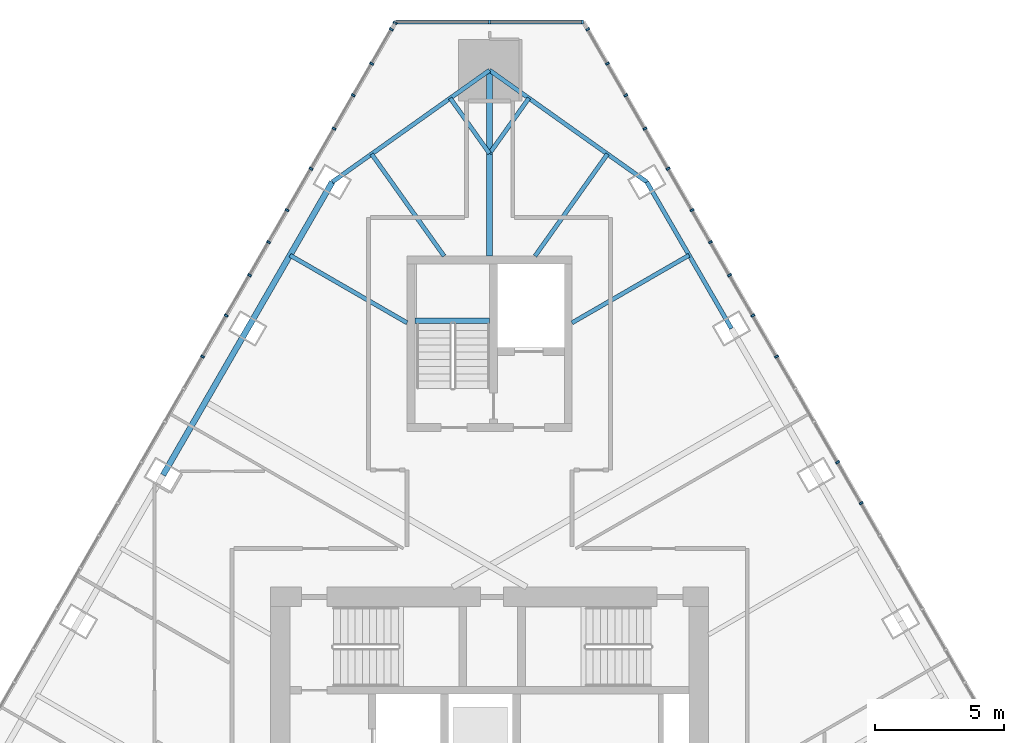
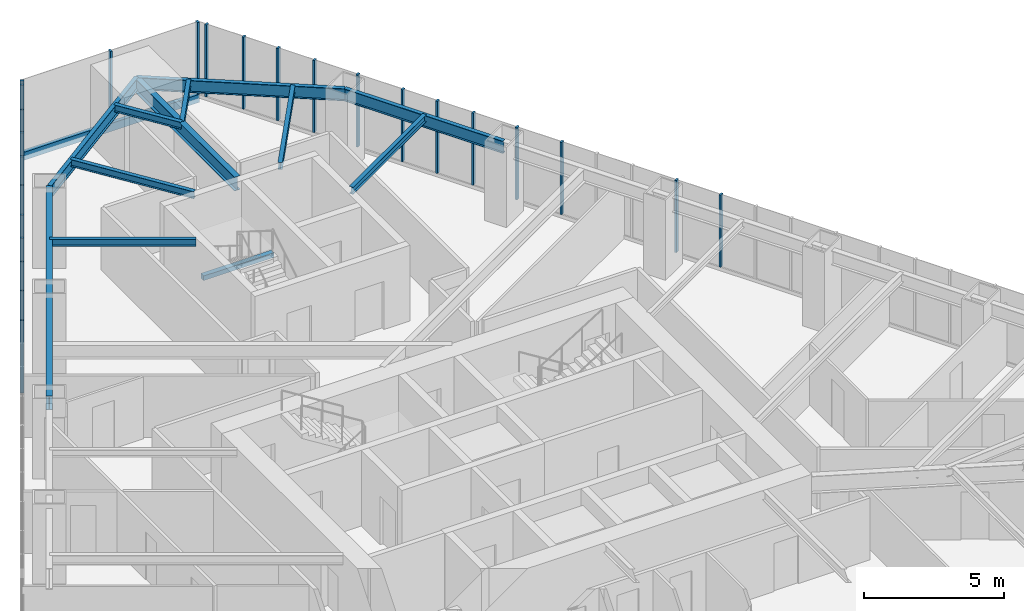
# One storey, part 10 of 21: 26 members, 12 beams, 3 elements without a shape of their own.
"""IFC4 building model written with IfcOpenShell, lengths in metres."""

from ifc_helpers import new_model, si_unit, direction, frame, origin, origin_2d, place, context, subcontext, project, spatial, rectangle, i_section, extrude, material, layer, layer_set, material_profile, profile_set, type_object, element, aggregate, save


model = new_model("IFC4")

# Units and contexts
model_context = context("Model", 3, precision=1e-05, world=origin(), true_north=direction((0.0, 1.0)))
body_context = subcontext(model_context, "Body", "Model", "MODEL_VIEW")
ifc_project = project(units=[si_unit("LENGTHUNIT", "METRE"), si_unit("AREAUNIT", "SQUARE_METRE"), si_unit("VOLUMEUNIT", "CUBIC_METRE"), si_unit("PLANEANGLEUNIT", "RADIAN"), si_unit("MASSUNIT", "GRAM", prefix="KILO")], contexts=[model_context])

# Site, building, storey
site_placement = place(None, origin())
site = spatial("IfcSite", under=ifc_project, at=site_placement, CompositionType="ELEMENT")
building_placement = place(site_placement, origin())
building = spatial("IfcBuilding", under=site, at=building_placement, Name="Firuza Gate Tower and Library", CompositionType="ELEMENT")
storey_placement = place(building_placement, frame((0.0, 0.0, 274.10009765625)))
storey = spatial("IfcBuildingStorey", under=building, at=storey_placement, Name="L65", CompositionType="ELEMENT", Elevation=274.10009765625)

# Curtain wall, members
ifc_material_1 = material(Name="Aluminium 6063-T6", Category="aluminium")
ifc_layer_1 = layer(ifc_material_1, 0.14990234375)
ifc_layer_set_1 = layer_set([ifc_layer_1], Name="Unitised curtain wall, residences")
curtain_wall_type_1 = type_object("IfcCurtainWallType", Name="Unitised curtain wall, residences", PredefinedType="NOTDEFINED", material=ifc_layer_set_1)
placement = place(storey_placement, origin())
curtain_wall_1 = element("IfcCurtainWall", 1, at=placement, inside=storey, type_object=curtain_wall_type_1, Name="CW3 L65 E face", PredefinedType="NOTDEFINED")
ifc_material_2 = material(Name="Aluminium 6063-T6", Category="aluminium")
ifc_material_profile_1 = material_profile(ifc_material_2, rectangle(XDim=0.14990234375, YDim=0.080078125, at=origin_2d()))
ifc_profile_set_1 = profile_set([ifc_material_profile_1], Name="Aluminium 6063-T6")
member_type_1 = type_object("IfcMemberType", Name="Curtain wall mullion 80x150", PredefinedType="MULLION", material=ifc_profile_set_1)
member_1_placement = place(storey_placement, frame((88.509765625, 86.59765625, 0.14990234375), z_axis=(0.0, 0.0, 1.0), x_axis=(-0.866025403784, -0.5, 0.0)))
member_1 = element("IfcMember", 2, at=member_1_placement, type_object=member_type_1, Name="Mullion", PredefinedType="MULLION", context=body_context, shape_type="SweptSolid", body=[
    extrude(rectangle(XDim=0.14990234375, YDim=0.080078125, at=origin_2d()), origin(), (0.0, 0.0, 1.0), 3.14990234375),
])
member_2_placement = place(storey_placement, frame((85.220947265625, 92.2939453125, 0.14990234375), z_axis=(0.0, 0.0, 1.0), x_axis=(-0.866025403784, -0.5, 0.0)))
member_2 = element("IfcMember", 3, at=member_2_placement, type_object=member_type_1, Name="Mullion", PredefinedType="MULLION", context=body_context, shape_type="SweptSolid", body=[
    extrude(rectangle(XDim=0.14990234375, YDim=0.080078125, at=origin_2d()), origin(), (0.0, 0.0, 1.0), 3.14990234375),
])
member_3_placement = place(storey_placement, frame((83.57666015625, 95.142333984375, 0.14990234375), z_axis=(0.0, 0.0, 1.0), x_axis=(-0.866025403784, -0.5, 0.0)))
member_3 = element("IfcMember", 4, at=member_3_placement, type_object=member_type_1, Name="Mullion", PredefinedType="MULLION", context=body_context, shape_type="SweptSolid", body=[
    extrude(rectangle(XDim=0.14990234375, YDim=0.080078125, at=origin_2d()), origin(), (0.0, 0.0, 1.0), 3.14990234375),
])
member_4_placement = place(storey_placement, frame((81.93212890625, 97.990478515625, 0.14990234375), z_axis=(0.0, 0.0, 1.0), x_axis=(-0.866025403784, -0.5, 0.0)))
member_4 = element("IfcMember", 5, at=member_4_placement, type_object=member_type_1, Name="Mullion", PredefinedType="MULLION", context=body_context, shape_type="SweptSolid", body=[
    extrude(rectangle(XDim=0.14990234375, YDim=0.080078125, at=origin_2d()), origin(), (0.0, 0.0, 1.0), 3.14990234375),
])
member_5_placement = place(storey_placement, frame((80.287841796875, 100.838623046875, 0.14990234375), z_axis=(0.0, 0.0, 1.0), x_axis=(-0.866025403784, -0.5, 0.0)))
member_5 = element("IfcMember", 6, at=member_5_placement, type_object=member_type_1, Name="Mullion", PredefinedType="MULLION", context=body_context, shape_type="SweptSolid", body=[
    extrude(rectangle(XDim=0.14990234375, YDim=0.080078125, at=origin_2d()), origin(), (0.0, 0.0, 1.0), 3.14990234375),
])
member_6_placement = place(storey_placement, frame((89.42529296875, 85.01220703125, 0.14990234375), z_axis=(0.0, 0.0, 1.0), x_axis=(-0.866025403784, -0.5, 0.0)))
member_6 = element("IfcMember", 7, at=member_6_placement, type_object=member_type_1, Name="Mullion", PredefinedType="MULLION", context=body_context, shape_type="SweptSolid", body=[
    extrude(rectangle(XDim=0.14990234375, YDim=0.080078125, at=origin_2d()), origin(), (0.0, 0.0, 1.0), 3.14990234375),
])
member_7_placement = place(storey_placement, frame((86.142578125, 90.697998046875, 0.14990234375), z_axis=(0.0, 0.0, 1.0), x_axis=(-0.866025403784, -0.5, 0.0)))
member_7 = element("IfcMember", 8, at=member_7_placement, type_object=member_type_1, Name="Mullion", PredefinedType="MULLION", context=body_context, shape_type="SweptSolid", body=[
    extrude(rectangle(XDim=0.14990234375, YDim=0.080078125, at=origin_2d()), origin(), (0.0, 0.0, 1.0), 3.14990234375),
])
member_8_placement = place(storey_placement, frame((84.318115234375, 93.85791015625, 0.14990234375), z_axis=(0.0, 0.0, 1.0), x_axis=(-0.866025403784, -0.5, 0.0)))
member_8 = element("IfcMember", 9, at=member_8_placement, type_object=member_type_1, Name="Mullion", PredefinedType="MULLION", context=body_context, shape_type="SweptSolid", body=[
    extrude(rectangle(XDim=0.14990234375, YDim=0.080078125, at=origin_2d()), origin(), (0.0, 0.0, 1.0), 3.14990234375),
])
member_9_placement = place(storey_placement, frame((82.85986328125, 96.3837890625, 0.14990234375), z_axis=(0.0, 0.0, 1.0), x_axis=(-0.866025403784, -0.5, 0.0)))
member_9 = element("IfcMember", 10, at=member_9_placement, type_object=member_type_1, Name="Mullion", PredefinedType="MULLION", context=body_context, shape_type="SweptSolid", body=[
    extrude(rectangle(XDim=0.14990234375, YDim=0.080078125, at=origin_2d()), origin(), (0.0, 0.0, 1.0), 3.14990234375),
])
member_10_placement = place(storey_placement, frame((81.035400390625, 99.543701171875, 0.14990234375), z_axis=(0.0, 0.0, 1.0), x_axis=(-0.866025403784, -0.5, 0.0)))
member_10 = element("IfcMember", 11, at=member_10_placement, type_object=member_type_1, Name="Mullion", PredefinedType="MULLION", context=body_context, shape_type="SweptSolid", body=[
    extrude(rectangle(XDim=0.14990234375, YDim=0.080078125, at=origin_2d()), origin(), (0.0, 0.0, 1.0), 3.14990234375),
])
member_11_placement = place(storey_placement, frame((79.5771484375, 102.0693359375, 0.14990234375), z_axis=(0.0, 0.0, 1.0), x_axis=(-0.866025403784, -0.5, 0.0)))
member_11 = element("IfcMember", 12, at=member_11_placement, type_object=member_type_1, Name="Mullion", PredefinedType="MULLION", context=body_context, shape_type="SweptSolid", body=[
    extrude(rectangle(XDim=0.14990234375, YDim=0.080078125, at=origin_2d()), origin(), (0.0, 0.0, 1.0), 3.14990234375),
])
member_12_placement = place(storey_placement, frame((78.808837890625, 103.400146484375, 0.14990234375), z_axis=(0.0, 0.0, 1.0), x_axis=(-0.866025403784, -0.5, 0.0)))
member_12 = element("IfcMember", 13, at=member_12_placement, type_object=member_type_1, Name="Mullion", PredefinedType="MULLION", context=body_context, shape_type="SweptSolid", body=[
    extrude(rectangle(XDim=0.14990234375, YDim=0.080078125, at=origin_2d()), origin(), (0.0, 0.0, 1.0), 3.14990234375),
])
aggregate(curtain_wall_1, [member_1, member_2, member_3, member_4, member_5, member_6, member_7, member_8, member_9, member_10, member_11, member_12])

ifc_material_3 = material(Name="Aluminium 6063-T6", Category="aluminium")
ifc_layer_2 = layer(ifc_material_3, 0.14990234375)
ifc_layer_set_2 = layer_set([ifc_layer_2], Name="Corner curtain wall, chamfers")
curtain_wall_type_2 = type_object("IfcCurtainWallType", Name="Corner curtain wall, chamfers", PredefinedType="NOTDEFINED", material=ifc_layer_set_2)
curtain_wall_2 = element("IfcCurtainWall", 14, at=placement, inside=storey, type_object=curtain_wall_type_2, Name="CW4 L65 N corner", PredefinedType="NOTDEFINED")
member_13_placement = place(storey_placement, frame((78.603271484375, 103.68701171875, 0.14990234375), z_axis=(0.0, 0.0, 1.0), x_axis=(0.0, -1.0, 0.0)))
member_13 = element("IfcMember", 15, at=member_13_placement, type_object=member_type_1, Name="Mullion", PredefinedType="MULLION", context=body_context, shape_type="SweptSolid", body=[
    extrude(rectangle(XDim=0.14990234375, YDim=0.080078125, at=origin_2d()), origin(), (0.0, 0.0, 1.0), 3.14990234375),
])
member_14_placement = place(storey_placement, frame((75.0, 103.68701171875, 0.14990234375), z_axis=(0.0, 0.0, 1.0), x_axis=(0.0, -1.0, 0.0)))
member_14 = element("IfcMember", 16, at=member_14_placement, type_object=member_type_1, Name="Mullion", PredefinedType="MULLION", context=body_context, shape_type="SweptSolid", body=[
    extrude(rectangle(XDim=0.14990234375, YDim=0.080078125, at=origin_2d()), origin(), (0.0, 0.0, 1.0), 3.14990234375),
])

curtain_wall_3 = element("IfcCurtainWall", 17, at=placement, inside=storey, type_object=curtain_wall_type_1, Name="CW3 L65 W face", PredefinedType="NOTDEFINED")
member_15_placement = place(storey_placement, frame((71.336669921875, 103.65234375, 0.14990234375), z_axis=(0.0, 0.0, 1.0), x_axis=(0.866025403784, -0.5, 0.0)))
member_15 = element("IfcMember", 18, at=member_15_placement, type_object=member_type_1, Name="Mullion", PredefinedType="MULLION", context=body_context, shape_type="SweptSolid", body=[
    extrude(rectangle(XDim=0.14990234375, YDim=0.080078125, at=origin_2d()), origin(), (0.0, 0.0, 1.0), 3.14990234375),
])
member_16_placement = place(storey_placement, frame((69.712158203125, 100.838623046875, 0.14990234375), z_axis=(0.0, 0.0, 1.0), x_axis=(0.866025403784, -0.5, 0.0)))
member_16 = element("IfcMember", 19, at=member_16_placement, type_object=member_type_1, Name="Mullion", PredefinedType="MULLION", context=body_context, shape_type="SweptSolid", body=[
    extrude(rectangle(XDim=0.14990234375, YDim=0.080078125, at=origin_2d()), origin(), (0.0, 0.0, 1.0), 3.14990234375),
])
member_17_placement = place(storey_placement, frame((68.06787109375, 97.990478515625, 0.14990234375), z_axis=(0.0, 0.0, 1.0), x_axis=(0.866025403784, -0.5, 0.0)))
member_17 = element("IfcMember", 20, at=member_17_placement, type_object=member_type_1, Name="Mullion", PredefinedType="MULLION", context=body_context, shape_type="SweptSolid", body=[
    extrude(rectangle(XDim=0.14990234375, YDim=0.080078125, at=origin_2d()), origin(), (0.0, 0.0, 1.0), 3.14990234375),
])
member_18_placement = place(storey_placement, frame((66.42333984375, 95.142333984375, 0.14990234375), z_axis=(0.0, 0.0, 1.0), x_axis=(0.866025403784, -0.5, 0.0)))
member_18 = element("IfcMember", 21, at=member_18_placement, type_object=member_type_1, Name="Mullion", PredefinedType="MULLION", context=body_context, shape_type="SweptSolid", body=[
    extrude(rectangle(XDim=0.14990234375, YDim=0.080078125, at=origin_2d()), origin(), (0.0, 0.0, 1.0), 3.14990234375),
])
member_19_placement = place(storey_placement, frame((64.779052734375, 92.2939453125, 0.14990234375), z_axis=(0.0, 0.0, 1.0), x_axis=(0.866025403784, -0.5, 0.0)))
member_19 = element("IfcMember", 22, at=member_19_placement, type_object=member_type_1, Name="Mullion", PredefinedType="MULLION", context=body_context, shape_type="SweptSolid", body=[
    extrude(rectangle(XDim=0.14990234375, YDim=0.080078125, at=origin_2d()), origin(), (0.0, 0.0, 1.0), 3.14990234375),
])
member_20_placement = place(storey_placement, frame((71.191162109375, 103.400146484375, 0.14990234375), z_axis=(0.0, 0.0, 1.0), x_axis=(0.866025403784, -0.5, 0.0)))
member_20 = element("IfcMember", 23, at=member_20_placement, type_object=member_type_1, Name="Mullion", PredefinedType="MULLION", context=body_context, shape_type="SweptSolid", body=[
    extrude(rectangle(XDim=0.14990234375, YDim=0.080078125, at=origin_2d()), origin(), (0.0, 0.0, 1.0), 3.14990234375),
])
member_21_placement = place(storey_placement, frame((70.4228515625, 102.0693359375, 0.14990234375), z_axis=(0.0, 0.0, 1.0), x_axis=(0.866025403784, -0.5, 0.0)))
member_21 = element("IfcMember", 24, at=member_21_placement, type_object=member_type_1, Name="Mullion", PredefinedType="MULLION", context=body_context, shape_type="SweptSolid", body=[
    extrude(rectangle(XDim=0.14990234375, YDim=0.080078125, at=origin_2d()), origin(), (0.0, 0.0, 1.0), 3.14990234375),
])
member_22_placement = place(storey_placement, frame((68.964599609375, 99.543701171875, 0.14990234375), z_axis=(0.0, 0.0, 1.0), x_axis=(0.866025403784, -0.5, 0.0)))
member_22 = element("IfcMember", 25, at=member_22_placement, type_object=member_type_1, Name="Mullion", PredefinedType="MULLION", context=body_context, shape_type="SweptSolid", body=[
    extrude(rectangle(XDim=0.14990234375, YDim=0.080078125, at=origin_2d()), origin(), (0.0, 0.0, 1.0), 3.14990234375),
])
member_23_placement = place(storey_placement, frame((67.14013671875, 96.3837890625, 0.14990234375), z_axis=(0.0, 0.0, 1.0), x_axis=(0.866025403784, -0.5, 0.0)))
member_23 = element("IfcMember", 26, at=member_23_placement, type_object=member_type_1, Name="Mullion", PredefinedType="MULLION", context=body_context, shape_type="SweptSolid", body=[
    extrude(rectangle(XDim=0.14990234375, YDim=0.080078125, at=origin_2d()), origin(), (0.0, 0.0, 1.0), 3.14990234375),
])
member_24_placement = place(storey_placement, frame((65.681884765625, 93.85791015625, 0.14990234375), z_axis=(0.0, 0.0, 1.0), x_axis=(0.866025403784, -0.5, 0.0)))
member_24 = element("IfcMember", 27, at=member_24_placement, type_object=member_type_1, Name="Mullion", PredefinedType="MULLION", context=body_context, shape_type="SweptSolid", body=[
    extrude(rectangle(XDim=0.14990234375, YDim=0.080078125, at=origin_2d()), origin(), (0.0, 0.0, 1.0), 3.14990234375),
])
member_25_placement = place(storey_placement, frame((63.857421875, 90.697998046875, 0.14990234375), z_axis=(0.0, 0.0, 1.0), x_axis=(0.866025403784, -0.5, 0.0)))
member_25 = element("IfcMember", 28, at=member_25_placement, type_object=member_type_1, Name="Mullion", PredefinedType="MULLION", context=body_context, shape_type="SweptSolid", body=[
    extrude(rectangle(XDim=0.14990234375, YDim=0.080078125, at=origin_2d()), origin(), (0.0, 0.0, 1.0), 3.14990234375),
])
aggregate(curtain_wall_3, [member_15, member_16, member_17, member_18, member_19, member_20, member_21, member_22, member_23, member_24, member_25])

# Member
ifc_material_4 = material(Name="Aluminium 6063-T6", Category="aluminium")
ifc_material_profile_2 = material_profile(ifc_material_4, rectangle(XDim=0.14990234375, YDim=0.35009765625, at=origin_2d()))
ifc_profile_set_2 = profile_set([ifc_material_profile_2], Name="Aluminium 6063-T6")
member_type_2 = type_object("IfcMemberType", Name="Curtain wall transom 350x150", PredefinedType="USERDEFINED", material=ifc_profile_set_2)
member_26_placement = place(storey_placement, frame((78.643310546875, 103.68701171875, -0.025146484375), z_axis=(-1.0, 0.0, 0.0), x_axis=(0.0, -1.0, 0.0)))
member_26 = element("IfcMember", 29, at=member_26_placement, type_object=member_type_2, Name="Transom", ObjectType="TRANSOM", PredefinedType="USERDEFINED", context=body_context, shape_type="SweptSolid", body=[
    extrude(rectangle(XDim=0.14990234375, YDim=0.35009765625, at=origin_2d()), origin(), (0.0, 0.0, 1.0), 7.28662109375),
])

aggregate(curtain_wall_2, [member_13, member_14, member_26])

# Beams
ifc_material_5 = material(Name="Concrete C35/45", Category="concrete")
ifc_material_profile_3 = material_profile(ifc_material_5, rectangle(XDim=0.199951171875, YDim=0.199951171875, at=origin_2d()))
ifc_profile_set_3 = profile_set([ifc_material_profile_3], Name="Concrete C35/45")
beam_type_1 = type_object("IfcBeamType", Name="Stair landing bearer 200x200", PredefinedType="BEAM", material=ifc_profile_set_3)
beam_1_placement = place(storey_placement, frame((75.0, 92.090087890625, 1.449951171875), z_axis=(-1.0, 0.0, 0.0), x_axis=(0.0, -1.0, 0.0)))
element("IfcBeam", 30, at=beam_1_placement, inside=storey, type_object=beam_type_1, Name="Landing bearer L65 stair 3", PredefinedType="BEAM", context=body_context, shape_type="SweptSolid", body=[
    extrude(rectangle(XDim=0.199951171875, YDim=0.199951171875, at=origin_2d()), origin(), (0.0, 0.0, 1.0), 2.89990234375),
])
ifc_material_6 = material(Name="Steel S355", Category="steel")
ifc_material_profile_4 = material_profile(ifc_material_6, i_section(OverallWidth=0.1650390625, OverallDepth=0.31005859375, WebThickness=0.005859375, FlangeThickness=0.009765625, at=origin_2d()))
ifc_profile_set_4 = profile_set([ifc_material_profile_4], Name="Steel S355")
beam_type_2 = type_object("IfcBeamType", Name="W310x39 Floor beam", PredefinedType="JOIST", material=ifc_profile_set_4)
beam_2_placement = place(storey_placement, frame((82.74462890625, 94.63330078125, 3.14501953125), z_axis=(-0.8660329634, -0.499986906133, 0.0), x_axis=(0.499986906133, -0.8660329634, 0.0)))
element("IfcBeam", 31, at=beam_2_placement, inside=storey, type_object=beam_type_2, Name="Floor beam L65 s54", PredefinedType="JOIST", context=body_context, shape_type="SweptSolid", body=[
    extrude(i_section(OverallWidth=0.1650390625, OverallDepth=0.31005859375, WebThickness=0.005859375, FlangeThickness=0.009765625, at=origin_2d()), origin(), (0.0, 0.0, 1.0), 5.247802734375),
])
beam_3_placement = place(storey_placement, frame((79.577392578125, 98.56005859375, 3.14501953125), z_axis=(-0.579149122088, -0.815221622864, 0.0), x_axis=(0.815221622864, -0.579149122088, 0.0)))
element("IfcBeam", 32, at=beam_3_placement, inside=storey, type_object=beam_type_2, Name="Floor beam L65 s60", PredefinedType="JOIST", context=body_context, shape_type="SweptSolid", body=[
    extrude(i_section(OverallWidth=0.1650390625, OverallDepth=0.31005859375, WebThickness=0.005859375, FlangeThickness=0.009765625, at=origin_2d()), origin(), (0.0, 0.0, 1.0), 4.857421875),
])
for number, where, z_axis, x_axis, name in (
    (33, (76.52587890625, 100.72802734375, 3.14501953125), (-0.579132591432, -0.815233366307, 0.0), (0.815233366307, -0.579132591432, 0.0), "Floor beam L65 s61"),
    (34, (73.47412109375, 100.72802734375, 3.14501953125), (0.579132591432, -0.815233366307, 0.0), (0.815233366307, 0.579132591432, 0.0), "Floor beam L65 s70"),
):
    element("IfcBeam", number, at=place(storey_placement, frame(where, z_axis=z_axis, x_axis=x_axis)), inside=storey, type_object=beam_type_2, Name=name, PredefinedType="JOIST", context=body_context, shape_type="SweptSolid", body=[
        extrude(i_section(OverallWidth=0.1650390625, OverallDepth=0.31005859375, WebThickness=0.005859375, FlangeThickness=0.009765625, at=origin_2d()), origin(), (0.0, 0.0, 1.0), 2.634765625),
    ])
beam_4_placement = place(storey_placement, frame((70.422607421875, 98.56005859375, 3.14501953125), z_axis=(0.579149122088, -0.815221622864, 0.0), x_axis=(0.815221622864, 0.579149122088, 0.0)))
element("IfcBeam", 35, at=beam_4_placement, inside=storey, type_object=beam_type_2, Name="Floor beam L65 s71", PredefinedType="JOIST", context=body_context, shape_type="SweptSolid", body=[
    extrude(i_section(OverallWidth=0.1650390625, OverallDepth=0.31005859375, WebThickness=0.005859375, FlangeThickness=0.009765625, at=origin_2d()), origin(), (0.0, 0.0, 1.0), 4.857421875),
])
beam_5_placement = place(storey_placement, frame((67.25537109375, 94.63330078125, 3.14501953125), z_axis=(0.8660329634, -0.499986906133, 0.0), x_axis=(0.499986906133, 0.8660329634, 0.0)))
element("IfcBeam", 36, at=beam_5_placement, inside=storey, type_object=beam_type_2, Name="Floor beam L65 s80", PredefinedType="JOIST", context=body_context, shape_type="SweptSolid", body=[
    extrude(i_section(OverallWidth=0.1650390625, OverallDepth=0.31005859375, WebThickness=0.005859375, FlangeThickness=0.009765625, at=origin_2d()), origin(), (0.0, 0.0, 1.0), 5.247802734375),
])
ifc_material_7 = material(Name="Steel S355", Category="steel")
ifc_material_profile_5 = material_profile(ifc_material_7, i_section(OverallWidth=0.166015625, OverallDepth=0.534912109375, WebThickness=0.01025390625, FlangeThickness=0.0166015625, at=origin_2d()))
ifc_profile_set_5 = profile_set([ifc_material_profile_5], Name="Steel S355")
beam_type_3 = type_object("IfcBeamType", Name="W530x85 Edge beam", PredefinedType="SPANDREL", material=ifc_profile_set_5)
beam_6_placement = place(storey_placement, frame((84.385986328125, 91.79052734375, 3.032470703125), z_axis=(-0.500018600842, 0.866014664317, 0.0), x_axis=(-0.866014664317, -0.500018600842, 0.0)))
element("IfcBeam", 37, at=beam_6_placement, inside=storey, type_object=beam_type_3, Name="Edge beam L65 e54", PredefinedType="SPANDREL", context=body_context, shape_type="SweptSolid", body=[
    extrude(i_section(OverallWidth=0.166015625, OverallDepth=0.534912109375, WebThickness=0.01025390625, FlangeThickness=0.0166015625, at=origin_2d()), origin(), (0.0, 0.0, 1.0), 6.565185546875),
])
for number, where, z_axis, x_axis, name in (
    (38, (81.103271484375, 97.47607421875, 3.032470703125), (-0.815218088907, 0.579154096523, 0.0), (-0.579154096523, -0.815218088907, 0.0), "Edge beam L65 e60"),
    (39, (75.0, 101.81201171875, 3.032470703125), (-0.815218088907, -0.579154096523, 0.0), (0.579154096523, -0.815218088907, 0.0), "Edge beam L65 e70"),
):
    element("IfcBeam", number, at=place(storey_placement, frame(where, z_axis=z_axis, x_axis=x_axis)), inside=storey, type_object=beam_type_3, Name=name, PredefinedType="SPANDREL", context=body_context, shape_type="SweptSolid", body=[
        extrude(i_section(OverallWidth=0.166015625, OverallDepth=0.534912109375, WebThickness=0.01025390625, FlangeThickness=0.0166015625, at=origin_2d()), origin(), (0.0, 0.0, 1.0), 7.486572265625),
    ])
ifc_material_8 = material(Name="Steel S355", Category="steel")
ifc_material_profile_6 = material_profile(ifc_material_8, i_section(OverallWidth=0.22802734375, OverallDepth=0.60302734375, WebThickness=0.010498046875, FlangeThickness=0.014892578125, at=origin_2d()))
ifc_profile_set_6 = profile_set([ifc_material_profile_6], Name="Steel S355")
beam_type_4 = type_object("IfcBeamType", Name="W610x101 Girder", PredefinedType="BEAM", material=ifc_profile_set_6)
beam_7_placement = place(storey_placement, frame((75.0, 101.81201171875, 2.998291015625), z_axis=(0.0, -1.0, 0.0), x_axis=(1.0, 0.0, 0.0)))
element("IfcBeam", 40, at=beam_7_placement, inside=storey, type_object=beam_type_4, Name="Girder L65 gN", PredefinedType="BEAM", context=body_context, shape_type="SweptSolid", body=[
    extrude(i_section(OverallWidth=0.22802734375, OverallDepth=0.60302734375, WebThickness=0.010498046875, FlangeThickness=0.014892578125, at=origin_2d()), origin(), (0.0, 0.0, 1.0), 7.2119140625),
])
ifc_material_9 = material(Name="Steel S355", Category="steel")
ifc_material_profile_7 = material_profile(ifc_material_9, i_section(OverallWidth=0.22900390625, OverallDepth=0.612060546875, WebThickness=0.011962890625, FlangeThickness=0.01953125, at=origin_2d()))
ifc_profile_set_7 = profile_set([ifc_material_profile_7], Name="Steel S355")
beam_type_5 = type_object("IfcBeamType", Name="W610x125 Edge beam", PredefinedType="SPANDREL", material=ifc_profile_set_7)
beam_8_placement = place(storey_placement, frame((68.896728515625, 97.47607421875, 2.993896484375), z_axis=(-0.499996604533, -0.866027364149, 0.0), x_axis=(0.866027364149, -0.499996604533, 0.0)))
element("IfcBeam", 41, at=beam_8_placement, inside=storey, type_object=beam_type_5, Name="Edge beam L65 e80", PredefinedType="SPANDREL", context=body_context, shape_type="SweptSolid", body=[
    extrude(i_section(OverallWidth=0.22900390625, OverallDepth=0.612060546875, WebThickness=0.011962890625, FlangeThickness=0.01953125, at=origin_2d()), origin(), (0.0, 0.0, 1.0), 13.13037109375),
])

save(model, "model.ifc")
